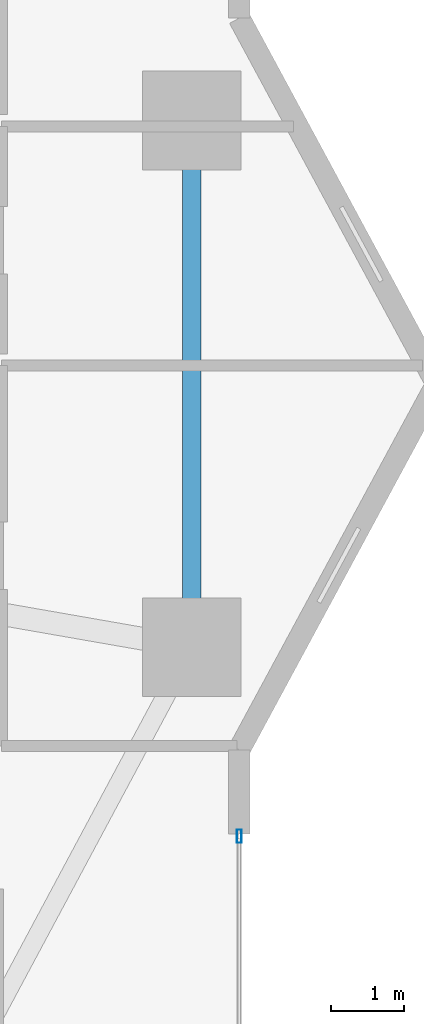
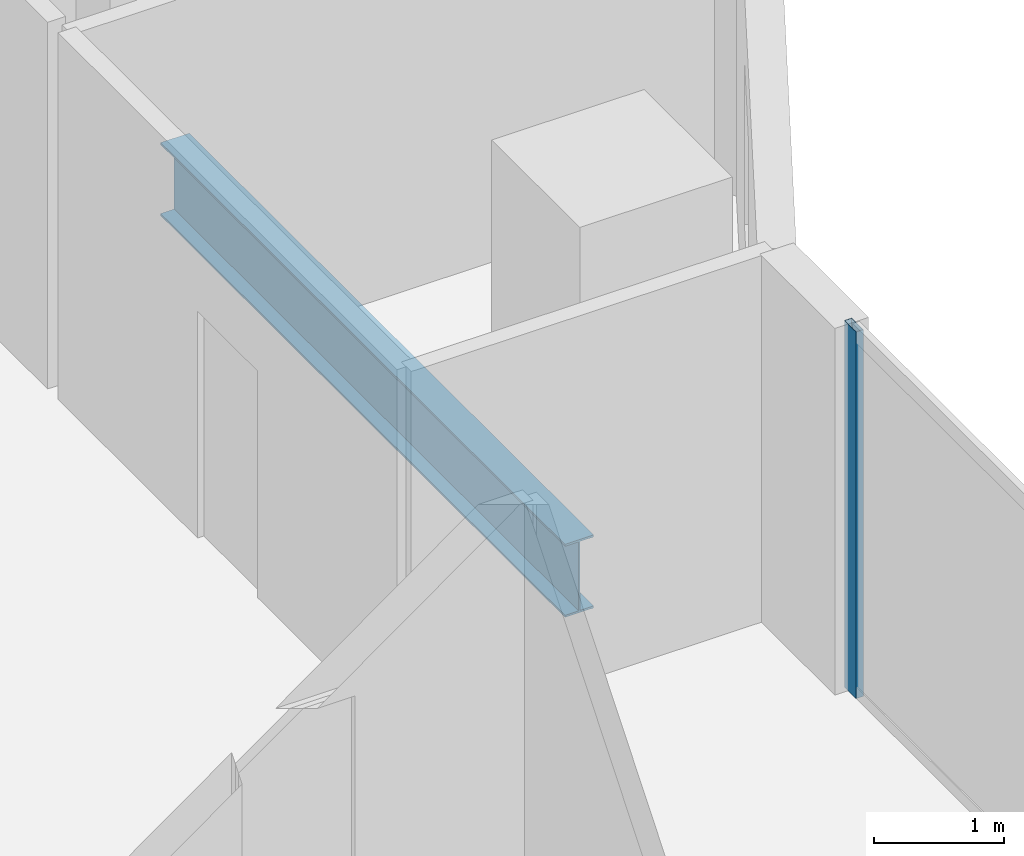
# One storey, part 13 of 29: 1 beam, 1 member, 1 element without a shape of its own.
"""IFC4 building model written with IfcOpenShell, lengths in metres."""

import ifcopenshell
import ifcopenshell.guid

model = None  # the IFC model being written
_history = None  # IfcOwnerHistory: only IFC2X3 demands one
_inside = {}  # id of a spatial element -> (the spatial element, [elements in it])
_under = {}  # id of a project, library or spatial element -> (it, [spatial elements below it])
_declared = {}  # id of a project -> (the project, [libraries it declares])
_typed = {}  # id of a type object -> (the type object, [elements of that type])
_made_of = {}  # id of a material, layer set ... -> (it, [elements and type objects made of it])


def new_model(schema):
    """Start an empty IFC model of exactly this schema.

    Asked for "IFC4X3", IfcOpenShell would pick the latest addendum, in which some entities
    have other attributes; the version numbers below select the first issue.
    IFC2X3 requires an IfcOwnerHistory on every rooted entity: one is made here for all.
    """
    global model, _history
    if schema == "IFC4X3":
        model = ifcopenshell.file(schema_version=(4, 3, 0, 0))
    else:
        model = ifcopenshell.file(schema=schema)
    _inside.clear()
    _under.clear()
    _declared.clear()
    _typed.clear()
    _made_of.clear()
    _history = None
    if model.schema == "IFC2X3":
        org = make("IfcOrganization", Name="unknown")
        user = make(
            "IfcPersonAndOrganization",
            ThePerson=make("IfcPerson", FamilyName="unknown"),
            TheOrganization=org,
        )
        app = make(
            "IfcApplication",
            ApplicationDeveloper=org,
            Version="unknown",
            ApplicationFullName="unknown",
            ApplicationIdentifier="unknown",
        )
        _history = make(
            "IfcOwnerHistory",
            OwningUser=user,
            OwningApplication=app,
            ChangeAction="ADDED",
            CreationDate=0,
        )
    return model


def make(cls, **values):
    """One entity of the class cls with the attributes given. An attribute that is None is left unset."""
    return model.create_entity(
        cls, **{name: value for name, value in values.items() if value is not None}
    )


def rooted(cls, **values):
    """An entity with a GlobalId (a new one), such as an element, a storey or a relation."""
    return make(cls, GlobalId=ifcopenshell.guid.new(), OwnerHistory=_history, **values)


def si_unit(unit_type, name, prefix=None):
    """IfcSIUnit, for example si_unit("LENGTHUNIT", "METRE", prefix="MILLI")."""
    return make("IfcSIUnit", UnitType=unit_type, Prefix=prefix, Name=name)


def assignment(units):
    """IfcUnitAssignment: the units of a project."""
    return None if units is None else make("IfcUnitAssignment", Units=units)


def point(xyz):
    """IfcCartesianPoint."""
    return None if xyz is None else make("IfcCartesianPoint", Coordinates=xyz)


def direction(xyz):
    """IfcDirection."""
    return None if xyz is None else make("IfcDirection", DirectionRatios=xyz)


def frame(location, z_axis=None, x_axis=None):
    """IfcAxis2Placement3D, a coordinate frame: its origin and axes. An axis left out is left unset."""
    return make(
        "IfcAxis2Placement3D",
        Location=point(location),
        Axis=direction(z_axis),
        RefDirection=direction(x_axis),
    )


def frame_2d(location, x_axis=None):
    """IfcAxis2Placement2D, a coordinate frame in the plane: its origin and x axis."""
    return make(
        "IfcAxis2Placement2D", Location=point(location), RefDirection=direction(x_axis)
    )


def origin():
    """The frame at (0, 0, 0) with its axes left unset."""
    return frame((0.0, 0.0, 0.0))


def origin_2d():
    """The frame at (0, 0) in the plane with its x axis left unset."""
    return frame_2d((0.0, 0.0))


def place(relative_to, where):
    """IfcLocalPlacement: puts the frame where relative to a parent placement (None: the world)."""
    return make(
        "IfcLocalPlacement", PlacementRelTo=relative_to, RelativePlacement=where
    )


def context(
    kind, dimensions, precision=None, world=None, true_north=None, identifier=None
):
    """IfcGeometricRepresentationContext, for example the 3D "Model" context."""
    return make(
        "IfcGeometricRepresentationContext",
        ContextIdentifier=identifier,
        ContextType=kind,
        CoordinateSpaceDimension=dimensions,
        Precision=precision,
        WorldCoordinateSystem=world,
        TrueNorth=true_north,
    )


def subcontext(parent, identifier, kind, view, scale=None):
    """IfcGeometricRepresentationSubContext, for example "Body" below "Model"."""
    return make(
        "IfcGeometricRepresentationSubContext",
        ContextIdentifier=identifier,
        ContextType=kind,
        ParentContext=parent,
        TargetScale=scale,
        TargetView=view,
    )


def project(units=None, contexts=None):
    """IfcProject with its units and contexts."""
    return rooted(
        "IfcProject",
        Name="project",
        RepresentationContexts=contexts,
        UnitsInContext=assignment(units),
    )


def spatial(cls, under=None, at=None, **own):
    """A site, building, storey or space (cls), placed at a placement, below another one or the project."""
    s = rooted(cls, ObjectPlacement=at, **own)
    if under is not None:
        _under.setdefault(under.id(), (under, []))[1].append(s)
    return s


def profile(cls, at=None, kind="AREA", **sizes):
    """A parametric profile (cls). Its sizes go by their IFC names, for example OverallWidth=200.0."""
    return make(cls, ProfileType=kind, Position=at, **sizes)


def hollow_rectangle(**sizes):
    """IfcRectangleHollowProfileDef."""
    return profile("IfcRectangleHollowProfileDef", **sizes)


def i_section(**sizes):
    """IfcIShapeProfileDef."""
    return profile("IfcIShapeProfileDef", **sizes)


def extrude(swept, where, along, depth):
    """IfcExtrudedAreaSolid: the profile swept, set in the frame where, extruded along a direction by depth."""
    return make(
        "IfcExtrudedAreaSolid",
        SweptArea=swept,
        Position=where,
        ExtrudedDirection=direction(along),
        Depth=depth,
    )


def shape(context_of_items, identifier, shape_type, items):
    """IfcShapeRepresentation: the items that make up one representation, for example the "Body"."""
    return make(
        "IfcShapeRepresentation",
        ContextOfItems=context_of_items,
        RepresentationIdentifier=identifier,
        RepresentationType=shape_type,
        Items=items,
    )


def material(Name=None, Category=None):
    """IfcMaterial."""
    return make("IfcMaterial", Name=Name, Category=Category)


def layer(
    of_material, thickness, ventilated=None, Name=None, Category=None, Priority=None
):
    """IfcMaterialLayer: one layer of a wall or slab, of a material (None: an air gap)."""
    return make(
        "IfcMaterialLayer",
        Material=of_material,
        LayerThickness=thickness,
        IsVentilated=ventilated,
        Name=Name,
        Category=Category,
        Priority=Priority,
    )


def layer_set(layers, Name=None):
    """IfcMaterialLayerSet."""
    return make("IfcMaterialLayerSet", MaterialLayers=layers, LayerSetName=Name)


def material_profile(
    of_material, cross_section, Name=None, Category=None, Priority=None
):
    """IfcMaterialProfile: a cross section and its material."""
    return make(
        "IfcMaterialProfile",
        Name=Name,
        Material=of_material,
        Profile=cross_section,
        Priority=Priority,
        Category=Category,
    )


def profile_set(profiles, Name=None, composite=None):
    """IfcMaterialProfileSet."""
    return make(
        "IfcMaterialProfileSet",
        Name=Name,
        MaterialProfiles=profiles,
        CompositeProfile=composite,
    )


def made_of(thing, what):
    """Note that an element or type object is made of a material, layer set ...; save() writes the relation."""
    if what is not None:
        _made_of.setdefault(what.id(), (what, []))[1].append(thing)
    return thing


def type_object(cls, material=None, **own):
    """A type object (cls), such as IfcWallType, which elements share."""
    return made_of(rooted(cls, **own), material)


def element(
    cls,
    number,
    at=None,
    inside=None,
    cuts=None,
    type_object=None,
    material=None,
    context=None,
    identifier="Body",
    shape_type=None,
    held_by="IfcProductDefinitionShape",
    body=None,
    shapes=None,
    **own,
):
    """One element of the class cls, such as IfcWall. Its Tag is "e" and its number.

    at: its placement. inside: the storey or other place that contains it. cuts: it is an
    opening in that element (IfcRelVoidsElement). A single representation is given by context,
    identifier, shape_type and body (its items); several are given by shapes. held_by: the class
    of the entity that holds the representations. save() writes the other relations.
    """
    e = rooted(cls, Tag="e%d" % number, ObjectPlacement=at, **own)
    if body is not None:
        shapes = [shape(context, identifier, shape_type, body)]
    if shapes is not None:
        e.Representation = make(held_by, Representations=shapes)
    if inside is not None:
        _inside.setdefault(inside.id(), (inside, []))[1].append(e)
    if cuts is not None:
        rooted(
            "IfcRelVoidsElement", RelatingBuildingElement=cuts, RelatedOpeningElement=e
        )
    if type_object is not None:
        _typed.setdefault(type_object.id(), (type_object, []))[1].append(e)
    return made_of(e, material)


def aggregate(whole, parts):
    """IfcRelAggregates: a whole, such as a stair, and the parts it consists of."""
    return rooted("IfcRelAggregates", RelatingObject=whole, RelatedObjects=parts)


def save(model, path):
    """Write the relations noted so far, then the file.

    IfcRelAggregates (storeys below a building ...), IfcRelContainedInSpatialStructure (elements
    in a storey), IfcRelDefinesByType, IfcRelAssociatesMaterial and IfcRelDeclares: one each for
    every whole, place, type object, material and project.
    """
    for whole, parts in _under.values():
        aggregate(whole, parts)
    for where, things in _inside.values():
        rooted(
            "IfcRelContainedInSpatialStructure",
            RelatedElements=things,
            RelatingStructure=where,
        )
    for kind, things in _typed.values():
        rooted("IfcRelDefinesByType", RelatedObjects=things, RelatingType=kind)
    for what, things in _made_of.values():
        rooted("IfcRelAssociatesMaterial", RelatedObjects=things, RelatingMaterial=what)
    for by, libraries in _declared.values():
        rooted("IfcRelDeclares", RelatingContext=by, RelatedDefinitions=libraries)
    model.write(path)


model = new_model("IFC4")

# Units and contexts
model_context = context("Model", 3, precision=1e-05, world=origin(), true_north=direction((0.0, 1.0)))
body_context = subcontext(model_context, "Body", "Model", "MODEL_VIEW")
ifc_project = project(units=[si_unit("LENGTHUNIT", "METRE"), si_unit("AREAUNIT", "SQUARE_METRE"), si_unit("VOLUMEUNIT", "CUBIC_METRE"), si_unit("PLANEANGLEUNIT", "RADIAN"), si_unit("MASSUNIT", "GRAM", prefix="KILO")], contexts=[model_context])

# Site, building, storey
site_placement = place(None, origin())
site = spatial("IfcSite", under=ifc_project, at=site_placement, CompositionType="ELEMENT")
building_placement = place(site_placement, origin())
building = spatial("IfcBuilding", under=site, at=building_placement, Name="Zuhayl Quay Hotel", CompositionType="ELEMENT")
storey_placement = place(building_placement, frame((0.0, 0.0, 150.39990234375)))
storey = spatial("IfcBuildingStorey", under=building, at=storey_placement, Name="L38", CompositionType="ELEMENT", Elevation=150.39990234375)

# Beam
ifc_material_1 = material(Name="Steel ASTM A992 Grade 50", Category="steel")
ifc_material_profile_1 = material_profile(ifc_material_1, i_section(OverallWidth=0.25390625, OverallDepth=0.68310546875, WebThickness=0.012451171875, FlangeThickness=0.018798828125, at=origin_2d()), Name="W27X94")
ifc_profile_set_1 = profile_set([ifc_material_profile_1], Name="Steel ASTM A992 Grade 50")
beam_type = type_object("IfcBeamType", Name="BM_B2_W27X94", PredefinedType="BEAM", material=ifc_profile_set_1)
beam_placement = place(storey_placement, frame((23.25, 3.39990234375, -0.5615234375), z_axis=(0.0, 1.0, 0.0), x_axis=(-1.0, 0.0, 0.0)))
element("IfcBeam", 1, at=beam_placement, inside=storey, type_object=beam_type, Name="L38 Floor Beam RG_L38_05", PredefinedType="BEAM", context=body_context, shape_type="SweptSolid", body=[
    extrude(i_section(OverallWidth=0.25390625, OverallDepth=0.68310546875, WebThickness=0.012451171875, FlangeThickness=0.018798828125, at=origin_2d()), origin(), (0.0, 0.0, 1.0), 6.2001953125),
])

# Curtain wall, member
ifc_material_2 = material(Name="Anodised Aluminium 6063-T6", Category="aluminium")
ifc_layer = layer(ifc_material_2, 0.179931640625, Name="Anodised Aluminium 6063-T6", Category="aluminium")
ifc_layer_set = layer_set([ifc_layer], Name="Anodised Aluminium 6063-T6")
curtain_wall_type = type_object("IfcCurtainWallType", Name="CW_SYS_Z2", PredefinedType="USERDEFINED", material=ifc_layer_set)
curtain_wall_placement = place(storey_placement, origin())
curtain_wall = element("IfcCurtainWall", 2, at=curtain_wall_placement, inside=storey, type_object=curtain_wall_type, Name="L38 Curtain Wall ENV_L38_E14_CW1", ObjectType="UNITISED CURTAIN WALL", PredefinedType="USERDEFINED")
ifc_material_3 = material(Name="Black-anodised aluminium 6063-T6", Category="aluminium")
ifc_material_profile_2 = material_profile(ifc_material_3, hollow_rectangle(XDim=0.06494140625, YDim=0.179931640625, WallThickness=0.00341796875, at=origin_2d()), Name="ALU180X65")
ifc_profile_set_2 = profile_set([ifc_material_profile_2], Name="Black-anodised aluminium 6063-T6")
member_type = type_object("IfcMemberType", Name="MB_CW_MUL_180", PredefinedType="MULLION", material=ifc_profile_set_2)
member_placement = place(storey_placement, frame((23.89990234375, 0.3173828125, 0.0), z_axis=(0.0, 0.0, 1.0), x_axis=(1.0, 0.0, 0.0)))
member = element("IfcMember", 3, at=member_placement, type_object=member_type, Name="CW-Z2 mullion 1", PredefinedType="MULLION", context=body_context, shape_type="SweptSolid", body=[
    extrude(hollow_rectangle(XDim=0.06494140625, YDim=0.179931640625, WallThickness=0.00341796875, at=origin_2d()), origin(), (0.0, 0.0, 1.0), 3.43017578125),
])
aggregate(curtain_wall, [member])

save(model, "model.ifc")
